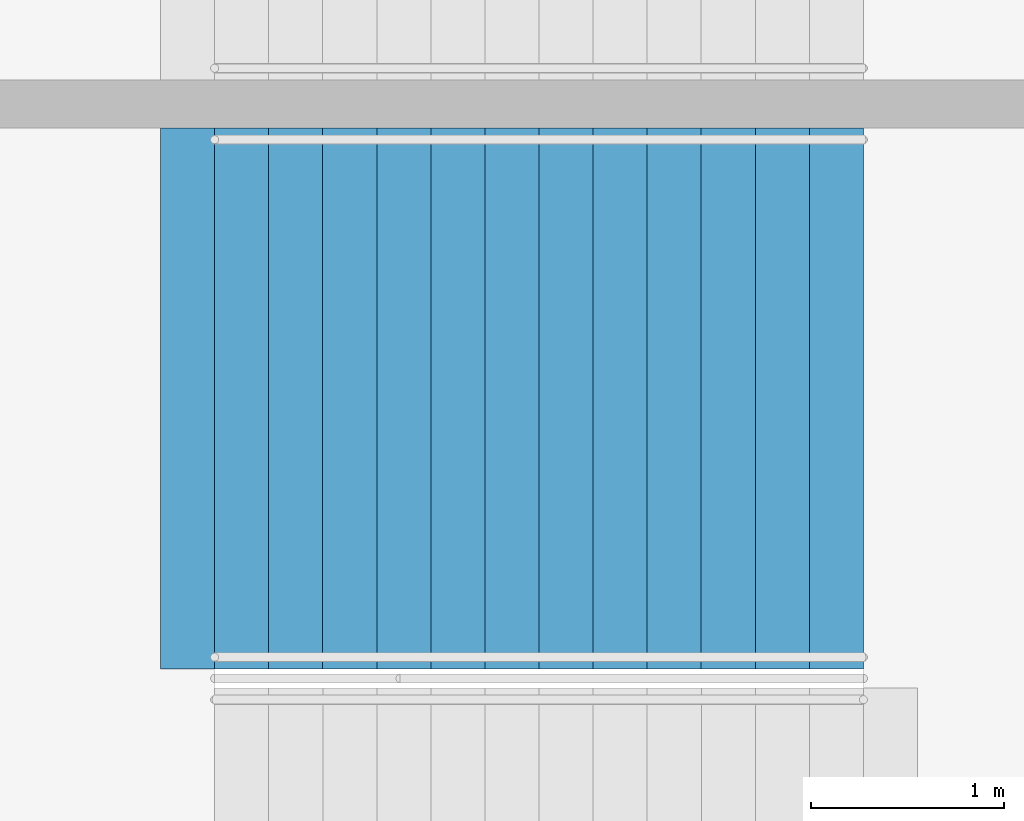
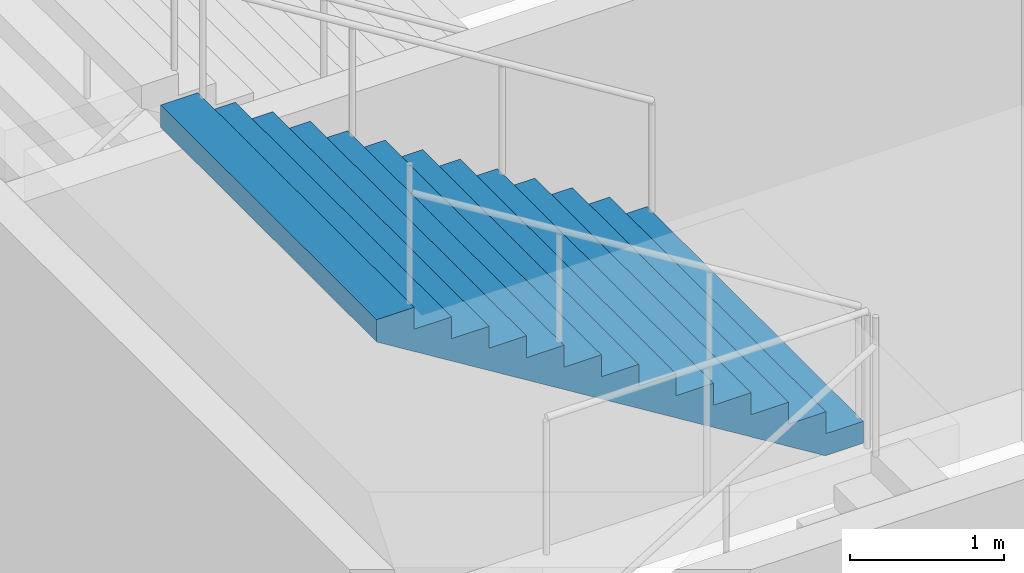
# One storey, part 186 of 249: 1 stair flight, 1 element without a shape of its own.
"""IFC4 building model written with IfcOpenShell, lengths in metres."""

from ifc_helpers import new_model, si_unit, direction, frame, origin, place, context, subcontext, project, spatial, faceted_brep, material, type_object, element, aggregate, save


model = new_model("IFC4")

# Units and contexts
model_context = context("Model", 3, precision=1e-05, world=origin(), true_north=direction((0.0, 1.0)))
body_context = subcontext(model_context, "Body", "Model", "MODEL_VIEW")
ifc_project = project(units=[si_unit("LENGTHUNIT", "METRE"), si_unit("AREAUNIT", "SQUARE_METRE"), si_unit("VOLUMEUNIT", "CUBIC_METRE"), si_unit("PLANEANGLEUNIT", "RADIAN"), si_unit("MASSUNIT", "GRAM", prefix="KILO")], contexts=[model_context])

# Site, building, storey
site_placement = place(None, origin())
site = spatial("IfcSite", under=ifc_project, at=site_placement, CompositionType="ELEMENT")
building_placement = place(site_placement, origin())
building = spatial("IfcBuilding", under=site, at=building_placement, Name="Ogive Plaza Stadium", CompositionType="ELEMENT")
storey_placement = place(building_placement, frame((0.0, 0.0, 13.5)))
storey = spatial("IfcBuildingStorey", under=building, at=storey_placement, Name="L03", CompositionType="ELEMENT", Elevation=13.5)

# Stair, stair flight
ifc_material_1 = material(Name="Concrete C40/50", Category="concrete")
stair_type = type_object("IfcStairType", Name="Exit stair", PredefinedType="STRAIGHT_RUN_STAIR", material=ifc_material_1)
stair_placement = place(storey_placement, origin())
stair = element("IfcStair", 1, at=stair_placement, inside=storey, type_object=stair_type, Name="Exit stair ST04A L03 to L04", PredefinedType="STRAIGHT_RUN_STAIR")
ifc_material_2 = material(Name="Concrete C40/50", Category="concrete")
stair_flight_type = type_object("IfcStairFlightType", Name="Exit stair flight", PredefinedType="STRAIGHT", material=ifc_material_2)
stair_flight_placement = place(storey_placement, frame((79.7099609375, 5.97509765625, 2.25), z_axis=(0.0, 0.0, 1.0), x_axis=(-1.0, 0.0, 0.0)))
stair_flight = element("IfcStairFlight", 2, at=stair_flight_placement, type_object=stair_flight_type, Name="ST04A flight 2", NumberOfRisers=13, NumberOfTreads=12, PredefinedType="STRAIGHT", RiserHeight=0.173076923, TreadLength=0.28, context=body_context, shape_type="Brep", body=[
    faceted_brep([(0.28515625, -1.39990234375, 0.0), (3.639892578125, -1.39990234375, 2.07373046875), (3.639892578125, -1.39990234375, 2.25), (3.360107421875, -1.39990234375, 2.25), (3.360107421875, -1.39990234375, 2.076904296875), (3.080078125, -1.39990234375, 2.076904296875), (3.080078125, -1.39990234375, 1.90380859375), (2.800048828125, -1.39990234375, 1.90380859375), (2.800048828125, -1.39990234375, 1.730712890625), (2.52001953125, -1.39990234375, 1.730712890625), (2.52001953125, -1.39990234375, 1.5576171875), (2.239990234375, -1.39990234375, 1.5576171875), (2.239990234375, -1.39990234375, 1.384521484375), (1.9599609375, -1.39990234375, 1.384521484375), (1.9599609375, -1.39990234375, 1.21142578125), (1.679931640625, -1.39990234375, 1.21142578125), (1.679931640625, -1.39990234375, 1.03857421875), (1.39990234375, -1.39990234375, 1.03857421875), (1.39990234375, -1.39990234375, 0.865478515625), (1.1201171875, -1.39990234375, 0.865478515625), (1.1201171875, -1.39990234375, 0.6923828125), (0.840087890625, -1.39990234375, 0.6923828125), (0.840087890625, -1.39990234375, 0.519287109375), (0.56005859375, -1.39990234375, 0.519287109375), (0.56005859375, -1.39990234375, 0.34619140625), (0.280029296875, -1.39990234375, 0.34619140625), (0.280029296875, -1.39990234375, 0.173095703125), (0.0, -1.39990234375, 0.173095703125), (0.0, -1.39990234375, 0.0), (0.0, 1.39990234375, 0.0), (0.0, 1.39990234375, 0.173095703125), (0.280029296875, 1.39990234375, 0.173095703125), (0.280029296875, 1.39990234375, 0.34619140625), (0.56005859375, 1.39990234375, 0.34619140625), (0.56005859375, 1.39990234375, 0.519287109375), (0.840087890625, 1.39990234375, 0.519287109375), (0.840087890625, 1.39990234375, 0.6923828125), (1.1201171875, 1.39990234375, 0.6923828125), (1.1201171875, 1.39990234375, 0.865478515625), (1.39990234375, 1.39990234375, 0.865478515625), (1.39990234375, 1.39990234375, 1.03857421875), (1.679931640625, 1.39990234375, 1.03857421875), (1.679931640625, 1.39990234375, 1.21142578125), (1.9599609375, 1.39990234375, 1.21142578125), (1.9599609375, 1.39990234375, 1.384521484375), (2.239990234375, 1.39990234375, 1.384521484375), (2.239990234375, 1.39990234375, 1.5576171875), (2.52001953125, 1.39990234375, 1.5576171875), (2.52001953125, 1.39990234375, 1.730712890625), (2.800048828125, 1.39990234375, 1.730712890625), (2.800048828125, 1.39990234375, 1.90380859375), (3.080078125, 1.39990234375, 1.90380859375), (3.080078125, 1.39990234375, 2.076904296875), (3.360107421875, 1.39990234375, 2.076904296875), (3.360107421875, 1.39990234375, 2.25), (3.639892578125, 1.39990234375, 2.25), (3.639892578125, 1.39990234375, 2.07373046875), (0.28515625, 1.39990234375, 0.0), (0.28515625, -1.0888671875, 0.0), (3.639892578125, -1.0888671875, 2.07373046875), (0.28515625, -0.77783203125, 0.0), (3.639892578125, -0.77783203125, 2.07373046875), (0.28515625, -0.466796875, 0.0), (3.639892578125, -0.466796875, 2.07373046875), (0.28515625, -0.155517578125, 0.0), (3.639892578125, -0.155517578125, 2.07373046875), (0.28515625, 0.155517578125, 0.0), (3.639892578125, 0.155517578125, 2.07373046875), (0.28515625, 0.466796875, 0.0), (3.639892578125, 0.466796875, 2.07373046875), (0.28515625, 0.77783203125, 0.0), (3.639892578125, 0.77783203125, 2.07373046875), (0.28515625, 1.0888671875, 0.0), (3.639892578125, 1.0888671875, 2.07373046875), (3.639892578125, -1.0888671875, 2.25), (3.639892578125, -0.77783203125, 2.25), (3.639892578125, -0.466796875, 2.25), (3.639892578125, -0.155517578125, 2.25), (3.639892578125, 0.155517578125, 2.25), (3.639892578125, 0.466796875, 2.25), (3.639892578125, 0.77783203125, 2.25), (3.639892578125, 1.0888671875, 2.25), (3.360107421875, -1.0888671875, 2.25), (3.360107421875, -0.77783203125, 2.25), (3.360107421875, -0.466796875, 2.25), (3.360107421875, -0.155517578125, 2.25), (3.360107421875, 0.155517578125, 2.25), (3.360107421875, 0.466796875, 2.25), (3.360107421875, 0.77783203125, 2.25), (3.360107421875, 1.0888671875, 2.25), (3.360107421875, -1.0888671875, 2.076904296875), (3.360107421875, -0.77783203125, 2.076904296875), (3.360107421875, -0.466796875, 2.076904296875), (3.360107421875, -0.155517578125, 2.076904296875), (3.360107421875, 0.155517578125, 2.076904296875), (3.360107421875, 0.466796875, 2.076904296875), (3.360107421875, 0.77783203125, 2.076904296875), (3.360107421875, 1.0888671875, 2.076904296875), (3.080078125, -1.0888671875, 2.076904296875), (3.080078125, -0.77783203125, 2.076904296875), (3.080078125, -0.466796875, 2.076904296875), (3.080078125, -0.155517578125, 2.076904296875), (3.080078125, 0.155517578125, 2.076904296875), (3.080078125, 0.466796875, 2.076904296875), (3.080078125, 0.77783203125, 2.076904296875), (3.080078125, 1.0888671875, 2.076904296875), (3.080078125, -1.0888671875, 1.90380859375), (3.080078125, -0.77783203125, 1.90380859375), (3.080078125, -0.466796875, 1.90380859375), (3.080078125, -0.155517578125, 1.90380859375), (3.080078125, 0.155517578125, 1.90380859375), (3.080078125, 0.466796875, 1.90380859375), (3.080078125, 0.77783203125, 1.90380859375), (3.080078125, 1.0888671875, 1.90380859375), (2.800048828125, -1.0888671875, 1.90380859375), (2.800048828125, -0.77783203125, 1.90380859375), (2.800048828125, -0.466796875, 1.90380859375), (2.800048828125, -0.155517578125, 1.90380859375), (2.800048828125, 0.155517578125, 1.90380859375), (2.800048828125, 0.466796875, 1.90380859375), (2.800048828125, 0.77783203125, 1.90380859375), (2.800048828125, 1.0888671875, 1.90380859375), (2.800048828125, -1.0888671875, 1.730712890625), (2.800048828125, -0.77783203125, 1.730712890625), (2.800048828125, -0.466796875, 1.730712890625), (2.800048828125, -0.155517578125, 1.730712890625), (2.800048828125, 0.155517578125, 1.730712890625), (2.800048828125, 0.466796875, 1.730712890625), (2.800048828125, 0.77783203125, 1.730712890625), (2.800048828125, 1.0888671875, 1.730712890625), (2.52001953125, -1.0888671875, 1.730712890625), (2.52001953125, -0.77783203125, 1.730712890625), (2.52001953125, -0.466796875, 1.730712890625), (2.52001953125, -0.155517578125, 1.730712890625), (2.52001953125, 0.155517578125, 1.730712890625), (2.52001953125, 0.466796875, 1.730712890625), (2.52001953125, 0.77783203125, 1.730712890625), (2.52001953125, 1.0888671875, 1.730712890625), (2.52001953125, -1.0888671875, 1.5576171875), (2.52001953125, -0.77783203125, 1.5576171875), (2.52001953125, -0.466796875, 1.5576171875), (2.52001953125, -0.155517578125, 1.5576171875), (2.52001953125, 0.155517578125, 1.5576171875), (2.52001953125, 0.466796875, 1.5576171875), (2.52001953125, 0.77783203125, 1.5576171875), (2.52001953125, 1.0888671875, 1.5576171875), (2.239990234375, -1.0888671875, 1.5576171875), (2.239990234375, -0.77783203125, 1.5576171875), (2.239990234375, -0.466796875, 1.5576171875), (2.239990234375, -0.155517578125, 1.5576171875), (2.239990234375, 0.155517578125, 1.5576171875), (2.239990234375, 0.466796875, 1.5576171875), (2.239990234375, 0.77783203125, 1.5576171875), (2.239990234375, 1.0888671875, 1.5576171875), (2.239990234375, -1.0888671875, 1.384521484375), (2.239990234375, -0.77783203125, 1.384521484375), (2.239990234375, -0.466796875, 1.384521484375), (2.239990234375, -0.155517578125, 1.384521484375), (2.239990234375, 0.155517578125, 1.384521484375), (2.239990234375, 0.466796875, 1.384521484375), (2.239990234375, 0.77783203125, 1.384521484375), (2.239990234375, 1.0888671875, 1.384521484375), (1.9599609375, -1.0888671875, 1.384521484375), (1.9599609375, -0.77783203125, 1.384521484375), (1.9599609375, -0.466796875, 1.384521484375), (1.9599609375, -0.155517578125, 1.384521484375), (1.9599609375, 0.155517578125, 1.384521484375), (1.9599609375, 0.466796875, 1.384521484375), (1.9599609375, 0.77783203125, 1.384521484375), (1.9599609375, 1.0888671875, 1.384521484375), (1.9599609375, -1.0888671875, 1.21142578125), (1.9599609375, -0.77783203125, 1.21142578125), (1.9599609375, -0.466796875, 1.21142578125), (1.9599609375, -0.155517578125, 1.21142578125), (1.9599609375, 0.155517578125, 1.21142578125), (1.9599609375, 0.466796875, 1.21142578125), (1.9599609375, 0.77783203125, 1.21142578125), (1.9599609375, 1.0888671875, 1.21142578125), (1.679931640625, -1.0888671875, 1.21142578125), (1.679931640625, -0.77783203125, 1.21142578125), (1.679931640625, -0.466796875, 1.21142578125), (1.679931640625, -0.155517578125, 1.21142578125), (1.679931640625, 0.155517578125, 1.21142578125), (1.679931640625, 0.466796875, 1.21142578125), (1.679931640625, 0.77783203125, 1.21142578125), (1.679931640625, 1.0888671875, 1.21142578125), (1.679931640625, -1.0888671875, 1.03857421875), (1.679931640625, -0.77783203125, 1.03857421875), (1.679931640625, -0.466796875, 1.03857421875), (1.679931640625, -0.155517578125, 1.03857421875), (1.679931640625, 0.155517578125, 1.03857421875), (1.679931640625, 0.466796875, 1.03857421875), (1.679931640625, 0.77783203125, 1.03857421875), (1.679931640625, 1.0888671875, 1.03857421875), (1.39990234375, -1.0888671875, 1.03857421875), (1.39990234375, -0.77783203125, 1.03857421875), (1.39990234375, -0.466796875, 1.03857421875), (1.39990234375, -0.155517578125, 1.03857421875), (1.39990234375, 0.155517578125, 1.03857421875), (1.39990234375, 0.466796875, 1.03857421875), (1.39990234375, 0.77783203125, 1.03857421875), (1.39990234375, 1.0888671875, 1.03857421875), (1.39990234375, -1.0888671875, 0.865478515625), (1.39990234375, -0.77783203125, 0.865478515625), (1.39990234375, -0.466796875, 0.865478515625), (1.39990234375, -0.155517578125, 0.865478515625), (1.39990234375, 0.155517578125, 0.865478515625), (1.39990234375, 0.466796875, 0.865478515625), (1.39990234375, 0.77783203125, 0.865478515625), (1.39990234375, 1.0888671875, 0.865478515625), (1.1201171875, -1.0888671875, 0.865478515625), (1.1201171875, -0.77783203125, 0.865478515625), (1.1201171875, -0.466796875, 0.865478515625), (1.1201171875, -0.155517578125, 0.865478515625), (1.1201171875, 0.155517578125, 0.865478515625), (1.1201171875, 0.466796875, 0.865478515625), (1.1201171875, 0.77783203125, 0.865478515625), (1.1201171875, 1.0888671875, 0.865478515625), (1.1201171875, -1.0888671875, 0.6923828125), (1.1201171875, -0.77783203125, 0.6923828125), (1.1201171875, -0.466796875, 0.6923828125), (1.1201171875, -0.155517578125, 0.6923828125), (1.1201171875, 0.155517578125, 0.6923828125), (1.1201171875, 0.466796875, 0.6923828125), (1.1201171875, 0.77783203125, 0.6923828125), (1.1201171875, 1.0888671875, 0.6923828125), (0.840087890625, -1.0888671875, 0.6923828125), (0.840087890625, -0.77783203125, 0.6923828125), (0.840087890625, -0.466796875, 0.6923828125), (0.840087890625, -0.155517578125, 0.6923828125), (0.840087890625, 0.155517578125, 0.6923828125), (0.840087890625, 0.466796875, 0.6923828125), (0.840087890625, 0.77783203125, 0.6923828125), (0.840087890625, 1.0888671875, 0.6923828125), (0.840087890625, -1.0888671875, 0.519287109375), (0.840087890625, -0.77783203125, 0.519287109375), (0.840087890625, -0.466796875, 0.519287109375), (0.840087890625, -0.155517578125, 0.519287109375), (0.840087890625, 0.155517578125, 0.519287109375), (0.840087890625, 0.466796875, 0.519287109375), (0.840087890625, 0.77783203125, 0.519287109375), (0.840087890625, 1.0888671875, 0.519287109375), (0.56005859375, -1.0888671875, 0.519287109375), (0.56005859375, -0.77783203125, 0.519287109375), (0.56005859375, -0.466796875, 0.519287109375), (0.56005859375, -0.155517578125, 0.519287109375), (0.56005859375, 0.155517578125, 0.519287109375), (0.56005859375, 0.466796875, 0.519287109375), (0.56005859375, 0.77783203125, 0.519287109375), (0.56005859375, 1.0888671875, 0.519287109375), (0.56005859375, -1.0888671875, 0.34619140625), (0.56005859375, -0.77783203125, 0.34619140625), (0.56005859375, -0.466796875, 0.34619140625), (0.56005859375, -0.155517578125, 0.34619140625), (0.56005859375, 0.155517578125, 0.34619140625), (0.56005859375, 0.466796875, 0.34619140625), (0.56005859375, 0.77783203125, 0.34619140625), (0.56005859375, 1.0888671875, 0.34619140625), (0.280029296875, -1.0888671875, 0.34619140625), (0.280029296875, -0.77783203125, 0.34619140625), (0.280029296875, -0.466796875, 0.34619140625), (0.280029296875, -0.155517578125, 0.34619140625), (0.280029296875, 0.155517578125, 0.34619140625), (0.280029296875, 0.466796875, 0.34619140625), (0.280029296875, 0.77783203125, 0.34619140625), (0.280029296875, 1.0888671875, 0.34619140625), (0.280029296875, -1.0888671875, 0.173095703125), (0.280029296875, -0.77783203125, 0.173095703125), (0.280029296875, -0.466796875, 0.173095703125), (0.280029296875, -0.155517578125, 0.173095703125), (0.280029296875, 0.155517578125, 0.173095703125), (0.280029296875, 0.466796875, 0.173095703125), (0.280029296875, 0.77783203125, 0.173095703125), (0.280029296875, 1.0888671875, 0.173095703125), (0.0, -1.0888671875, 0.173095703125), (0.0, -0.77783203125, 0.173095703125), (0.0, -0.466796875, 0.173095703125), (0.0, -0.155517578125, 0.173095703125), (0.0, 0.155517578125, 0.173095703125), (0.0, 0.466796875, 0.173095703125), (0.0, 0.77783203125, 0.173095703125), (0.0, 1.0888671875, 0.173095703125), (0.0, -1.0888671875, 0.0), (0.0, -0.77783203125, 0.0), (0.0, -0.466796875, 0.0), (0.0, -0.155517578125, 0.0), (0.0, 0.155517578125, 0.0), (0.0, 0.466796875, 0.0), (0.0, 0.77783203125, 0.0), (0.0, 1.0888671875, 0.0)], [[[0, 1, 2, 3, 4, 5, 6, 7, 8, 9, 10, 11, 12, 13, 14, 15, 16, 17, 18, 19, 20, 21, 22, 23, 24, 25, 26, 27, 28]], [[29, 30, 31, 32, 33, 34, 35, 36, 37, 38, 39, 40, 41, 42, 43, 44, 45, 46, 47, 48, 49, 50, 51, 52, 53, 54, 55, 56, 57]], [[0, 58, 59, 1]], [[58, 60, 61, 59]], [[60, 62, 63, 61]], [[62, 64, 65, 63]], [[64, 66, 67, 65]], [[66, 68, 69, 67]], [[68, 70, 71, 69]], [[70, 72, 73, 71]], [[72, 57, 56, 73]], [[1, 59, 74, 2]], [[59, 61, 75, 74]], [[61, 63, 76, 75]], [[63, 65, 77, 76]], [[65, 67, 78, 77]], [[67, 69, 79, 78]], [[69, 71, 80, 79]], [[71, 73, 81, 80]], [[73, 56, 55, 81]], [[2, 74, 82, 3]], [[74, 75, 83, 82]], [[75, 76, 84, 83]], [[76, 77, 85, 84]], [[77, 78, 86, 85]], [[78, 79, 87, 86]], [[79, 80, 88, 87]], [[80, 81, 89, 88]], [[81, 55, 54, 89]], [[3, 82, 90, 4]], [[82, 83, 91, 90]], [[83, 84, 92, 91]], [[84, 85, 93, 92]], [[85, 86, 94, 93]], [[86, 87, 95, 94]], [[87, 88, 96, 95]], [[88, 89, 97, 96]], [[89, 54, 53, 97]], [[4, 90, 98, 5]], [[90, 91, 99, 98]], [[91, 92, 100, 99]], [[92, 93, 101, 100]], [[93, 94, 102, 101]], [[94, 95, 103, 102]], [[95, 96, 104, 103]], [[96, 97, 105, 104]], [[97, 53, 52, 105]], [[5, 98, 106, 6]], [[98, 99, 107, 106]], [[99, 100, 108, 107]], [[100, 101, 109, 108]], [[101, 102, 110, 109]], [[102, 103, 111, 110]], [[103, 104, 112, 111]], [[104, 105, 113, 112]], [[105, 52, 51, 113]], [[6, 106, 114, 7]], [[106, 107, 115, 114]], [[107, 108, 116, 115]], [[108, 109, 117, 116]], [[109, 110, 118, 117]], [[110, 111, 119, 118]], [[111, 112, 120, 119]], [[112, 113, 121, 120]], [[113, 51, 50, 121]], [[7, 114, 122, 8]], [[114, 115, 123, 122]], [[115, 116, 124, 123]], [[116, 117, 125, 124]], [[117, 118, 126, 125]], [[118, 119, 127, 126]], [[119, 120, 128, 127]], [[120, 121, 129, 128]], [[121, 50, 49, 129]], [[8, 122, 130, 9]], [[122, 123, 131, 130]], [[123, 124, 132, 131]], [[124, 125, 133, 132]], [[125, 126, 134, 133]], [[126, 127, 135, 134]], [[127, 128, 136, 135]], [[128, 129, 137, 136]], [[129, 49, 48, 137]], [[9, 130, 138, 10]], [[130, 131, 139, 138]], [[131, 132, 140, 139]], [[132, 133, 141, 140]], [[133, 134, 142, 141]], [[134, 135, 143, 142]], [[135, 136, 144, 143]], [[136, 137, 145, 144]], [[137, 48, 47, 145]], [[10, 138, 146, 11]], [[138, 139, 147, 146]], [[139, 140, 148, 147]], [[140, 141, 149, 148]], [[141, 142, 150, 149]], [[142, 143, 151, 150]], [[143, 144, 152, 151]], [[144, 145, 153, 152]], [[145, 47, 46, 153]], [[11, 146, 154, 12]], [[146, 147, 155, 154]], [[147, 148, 156, 155]], [[148, 149, 157, 156]], [[149, 150, 158, 157]], [[150, 151, 159, 158]], [[151, 152, 160, 159]], [[152, 153, 161, 160]], [[153, 46, 45, 161]], [[12, 154, 162, 13]], [[154, 155, 163, 162]], [[155, 156, 164, 163]], [[156, 157, 165, 164]], [[157, 158, 166, 165]], [[158, 159, 167, 166]], [[159, 160, 168, 167]], [[160, 161, 169, 168]], [[161, 45, 44, 169]], [[13, 162, 170, 14]], [[162, 163, 171, 170]], [[163, 164, 172, 171]], [[164, 165, 173, 172]], [[165, 166, 174, 173]], [[166, 167, 175, 174]], [[167, 168, 176, 175]], [[168, 169, 177, 176]], [[169, 44, 43, 177]], [[14, 170, 178, 15]], [[170, 171, 179, 178]], [[171, 172, 180, 179]], [[172, 173, 181, 180]], [[173, 174, 182, 181]], [[174, 175, 183, 182]], [[175, 176, 184, 183]], [[176, 177, 185, 184]], [[177, 43, 42, 185]], [[15, 178, 186, 16]], [[178, 179, 187, 186]], [[179, 180, 188, 187]], [[180, 181, 189, 188]], [[181, 182, 190, 189]], [[182, 183, 191, 190]], [[183, 184, 192, 191]], [[184, 185, 193, 192]], [[185, 42, 41, 193]], [[16, 186, 194, 17]], [[186, 187, 195, 194]], [[187, 188, 196, 195]], [[188, 189, 197, 196]], [[189, 190, 198, 197]], [[190, 191, 199, 198]], [[191, 192, 200, 199]], [[192, 193, 201, 200]], [[193, 41, 40, 201]], [[17, 194, 202, 18]], [[194, 195, 203, 202]], [[195, 196, 204, 203]], [[196, 197, 205, 204]], [[197, 198, 206, 205]], [[198, 199, 207, 206]], [[199, 200, 208, 207]], [[200, 201, 209, 208]], [[201, 40, 39, 209]], [[18, 202, 210, 19]], [[202, 203, 211, 210]], [[203, 204, 212, 211]], [[204, 205, 213, 212]], [[205, 206, 214, 213]], [[206, 207, 215, 214]], [[207, 208, 216, 215]], [[208, 209, 217, 216]], [[209, 39, 38, 217]], [[19, 210, 218, 20]], [[210, 211, 219, 218]], [[211, 212, 220, 219]], [[212, 213, 221, 220]], [[213, 214, 222, 221]], [[214, 215, 223, 222]], [[215, 216, 224, 223]], [[216, 217, 225, 224]], [[217, 38, 37, 225]], [[20, 218, 226, 21]], [[218, 219, 227, 226]], [[219, 220, 228, 227]], [[220, 221, 229, 228]], [[221, 222, 230, 229]], [[222, 223, 231, 230]], [[223, 224, 232, 231]], [[224, 225, 233, 232]], [[225, 37, 36, 233]], [[21, 226, 234, 22]], [[226, 227, 235, 234]], [[227, 228, 236, 235]], [[228, 229, 237, 236]], [[229, 230, 238, 237]], [[230, 231, 239, 238]], [[231, 232, 240, 239]], [[232, 233, 241, 240]], [[233, 36, 35, 241]], [[22, 234, 242, 23]], [[234, 235, 243, 242]], [[235, 236, 244, 243]], [[236, 237, 245, 244]], [[237, 238, 246, 245]], [[238, 239, 247, 246]], [[239, 240, 248, 247]], [[240, 241, 249, 248]], [[241, 35, 34, 249]], [[23, 242, 250, 24]], [[242, 243, 251, 250]], [[243, 244, 252, 251]], [[244, 245, 253, 252]], [[245, 246, 254, 253]], [[246, 247, 255, 254]], [[247, 248, 256, 255]], [[248, 249, 257, 256]], [[249, 34, 33, 257]], [[24, 250, 258, 25]], [[250, 251, 259, 258]], [[251, 252, 260, 259]], [[252, 253, 261, 260]], [[253, 254, 262, 261]], [[254, 255, 263, 262]], [[255, 256, 264, 263]], [[256, 257, 265, 264]], [[257, 33, 32, 265]], [[25, 258, 266, 26]], [[258, 259, 267, 266]], [[259, 260, 268, 267]], [[260, 261, 269, 268]], [[261, 262, 270, 269]], [[262, 263, 271, 270]], [[263, 264, 272, 271]], [[264, 265, 273, 272]], [[265, 32, 31, 273]], [[26, 266, 274, 27]], [[266, 267, 275, 274]], [[267, 268, 276, 275]], [[268, 269, 277, 276]], [[269, 270, 278, 277]], [[270, 271, 279, 278]], [[271, 272, 280, 279]], [[272, 273, 281, 280]], [[273, 31, 30, 281]], [[27, 274, 282, 28]], [[274, 275, 283, 282]], [[275, 276, 284, 283]], [[276, 277, 285, 284]], [[277, 278, 286, 285]], [[278, 279, 287, 286]], [[279, 280, 288, 287]], [[280, 281, 289, 288]], [[281, 30, 29, 289]], [[28, 282, 58, 0]], [[282, 283, 60, 58]], [[283, 284, 62, 60]], [[284, 285, 64, 62]], [[285, 286, 66, 64]], [[286, 287, 68, 66]], [[287, 288, 70, 68]], [[288, 289, 72, 70]], [[289, 29, 57, 72]]]),
])
aggregate(stair, [stair_flight])

save(model, "model.ifc")
